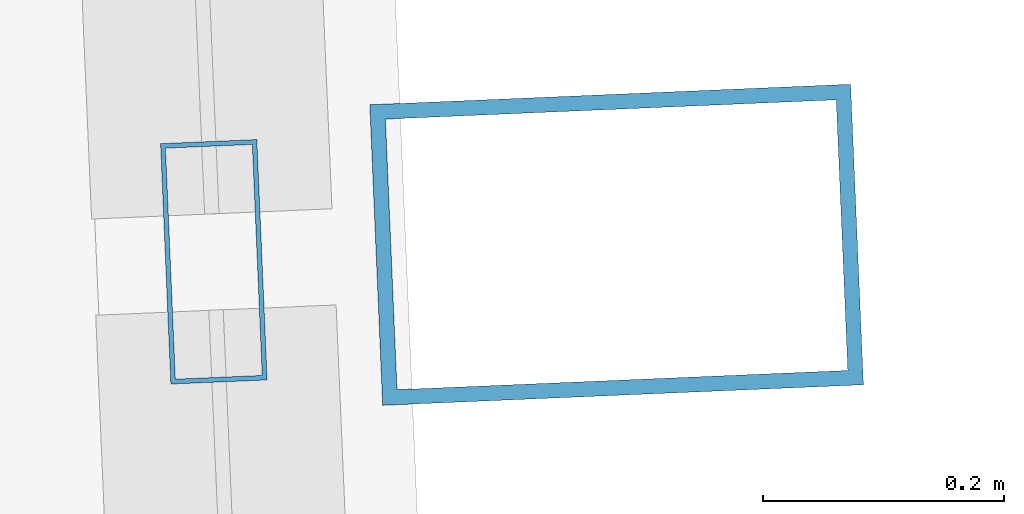
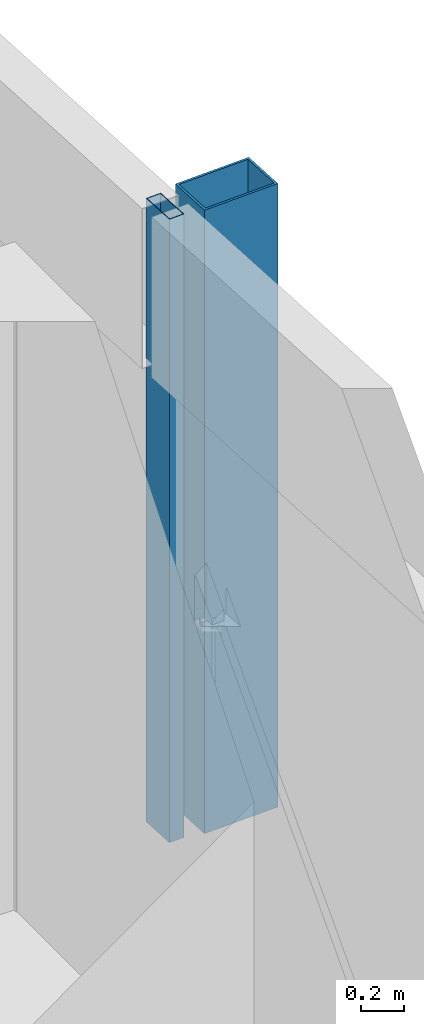
# One storey, part 29 of 44: 2 members, 1 element without a shape of its own.
"""IFC4 building model written with IfcOpenShell, lengths in metres."""

from ifc_helpers import new_model, si_unit, direction, frame, origin, origin_2d, place, context, subcontext, project, spatial, hollow_rectangle, extrude, material, material_profile, profile_set, type_object, element, aggregate, save


model = new_model("IFC4")

# Units and contexts
model_context = context("Model", 3, precision=1e-05, world=origin(), true_north=direction((0.0, 1.0)))
body_context = subcontext(model_context, "Body", "Model", "MODEL_VIEW")
ifc_project = project(units=[si_unit("LENGTHUNIT", "METRE"), si_unit("AREAUNIT", "SQUARE_METRE"), si_unit("VOLUMEUNIT", "CUBIC_METRE"), si_unit("PLANEANGLEUNIT", "RADIAN"), si_unit("MASSUNIT", "GRAM", prefix="KILO")], contexts=[model_context])

# Site, building, storey
site_placement = place(None, origin())
site = spatial("IfcSite", under=ifc_project, at=site_placement, CompositionType="ELEMENT")
building_placement = place(site_placement, origin())
building = spatial("IfcBuilding", under=site, at=building_placement, Name="Rekha Terrace Tower", CompositionType="ELEMENT")
storey_placement = place(building_placement, frame((0.0, 0.0, 47.89990234375)))
storey = spatial("IfcBuildingStorey", under=building, at=storey_placement, Name="L11", CompositionType="ELEMENT", Elevation=47.89990234375)

# Curtain wall, members
ifc_material_1 = material(Name="Aluminium framing", Category="aluminium")
curtain_wall_type = type_object("IfcCurtainWallType", Name="CW2 double skin outer glazing", PredefinedType="USERDEFINED", material=ifc_material_1)
curtain_wall_placement = place(storey_placement, origin())
curtain_wall = element("IfcCurtainWall", 1, at=curtain_wall_placement, inside=storey, type_object=curtain_wall_type, Name="CW2 double skin outer glazing", ObjectType="DOUBLE SKIN OUTER GLAZING", PredefinedType="USERDEFINED")
ifc_material_2 = material(Name="Steel S355 with fluorocarbon finish", Category="steel")
ifc_material_profile_1 = material_profile(ifc_material_2, hollow_rectangle(XDim=0.25, YDim=0.39990234375, WallThickness=0.012451171875, at=origin_2d()), Name="RHS400x250x12.5")
ifc_profile_set_1 = profile_set([ifc_material_profile_1], Name="Steel S355 with fluorocarbon finish")
member_type_1 = type_object("IfcMemberType", Name="BL1 facade blade RHS 400 x 250", PredefinedType="USERDEFINED", material=ifc_profile_set_1)
member_1_placement = place(storey_placement, frame((69.554443359375, 51.724609375, 0.0), z_axis=(0.0, 0.0, 1.0), x_axis=(-0.04269522475, 0.99908814315, 0.0)))
member_1 = element("IfcMember", 2, at=member_1_placement, type_object=member_type_1, Name="Facade blade", ObjectType="FACADE BLADE", PredefinedType="USERDEFINED", context=body_context, shape_type="SweptSolid", body=[
    extrude(hollow_rectangle(XDim=0.25, YDim=0.39990234375, WallThickness=0.012451171875, at=origin_2d()), origin(), (0.0, 0.0, 1.0), 3.5),
])
ifc_material_3 = material(Name="Aluminium mullion section", Category="aluminium")
ifc_material_profile_2 = material_profile(ifc_material_3, hollow_rectangle(XDim=0.080078125, YDim=0.199951171875, WallThickness=0.00390625, at=origin_2d()), Name="AL RHS 80x200")
ifc_profile_set_2 = profile_set([ifc_material_profile_2], Name="Aluminium mullion section")
member_type_2 = type_object("IfcMemberType", Name="CW2 mullion RHS 80 x 200", PredefinedType="MULLION", material=ifc_profile_set_2)
member_2_placement = place(storey_placement, frame((69.2197265625, 51.71044921875, 0.0), z_axis=(0.0, 0.0, 1.0), x_axis=(-0.999088106903, -0.042696072956, 0.0)))
member_2 = element("IfcMember", 3, at=member_2_placement, type_object=member_type_2, Name="CW2 mullion 4", PredefinedType="MULLION", context=body_context, shape_type="SweptSolid", body=[
    extrude(hollow_rectangle(XDim=0.080078125, YDim=0.199951171875, WallThickness=0.00390625, at=origin_2d()), origin(), (0.0, 0.0, 1.0), 3.5),
])
aggregate(curtain_wall, [member_2, member_1])

save(model, "model.ifc")
